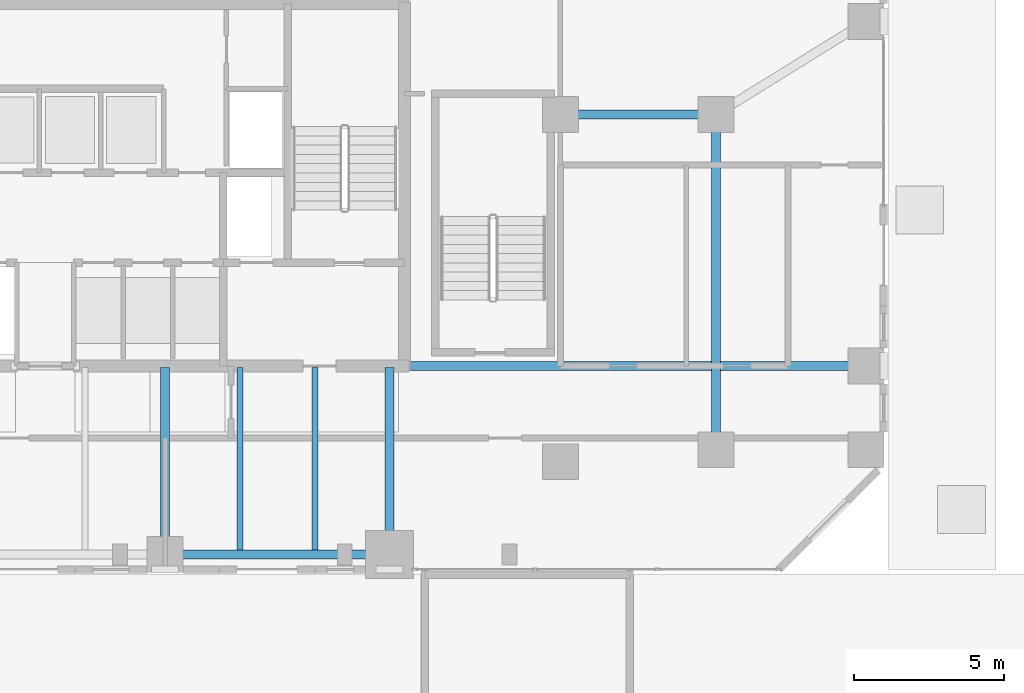
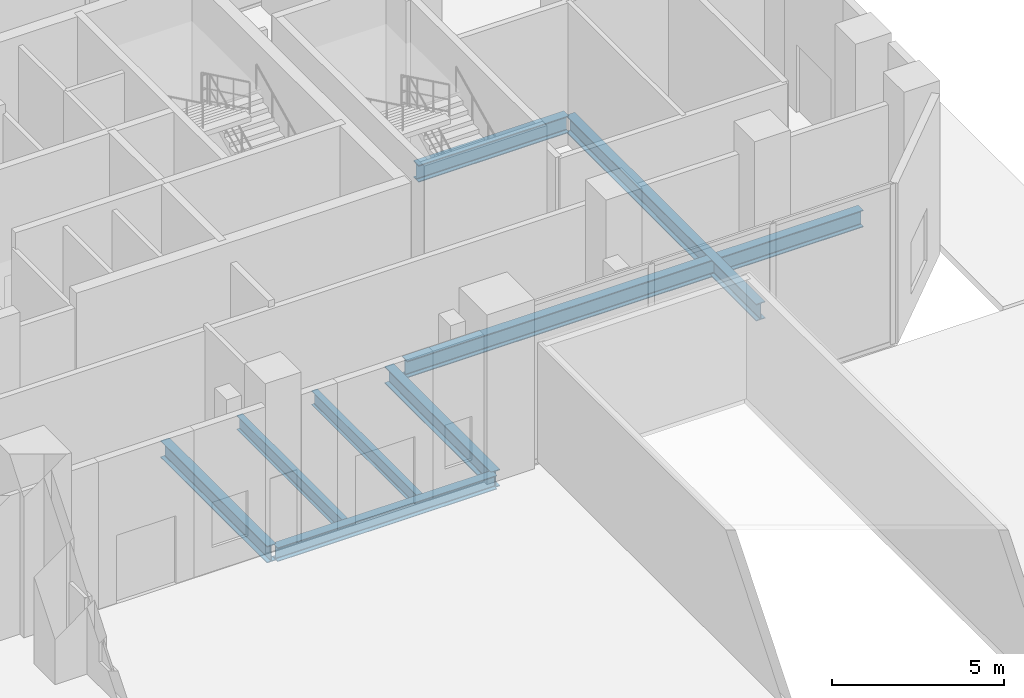
# One storey, part 11 of 26: 8 beams.
"""IFC4 building model written with IfcOpenShell, lengths in metres."""

from ifc_helpers import new_model, si_unit, direction, frame, origin, origin_2d, place, context, subcontext, project, spatial, i_section, extrude, material, material_profile, profile_set, type_object, element, save


model = new_model("IFC4")

# Units and contexts
model_context = context("Model", 3, precision=1e-05, world=origin(), true_north=direction((0.0, 1.0)))
body_context = subcontext(model_context, "Body", "Model", "MODEL_VIEW")
ifc_project = project(units=[si_unit("LENGTHUNIT", "METRE"), si_unit("AREAUNIT", "SQUARE_METRE"), si_unit("VOLUMEUNIT", "CUBIC_METRE"), si_unit("PLANEANGLEUNIT", "RADIAN"), si_unit("MASSUNIT", "GRAM", prefix="KILO")], contexts=[model_context])

# Site, building, storey
site_placement = place(None, origin())
site = spatial("IfcSite", under=ifc_project, at=site_placement, CompositionType="ELEMENT")
building_placement = place(site_placement, origin())
building = spatial("IfcBuilding", under=site, at=building_placement, Name="Catumbela Crestline Tower", CompositionType="ELEMENT")
storey_placement = place(building_placement, origin())
storey = spatial("IfcBuildingStorey", under=building, at=storey_placement, Name="L00", CompositionType="ELEMENT", Elevation=0.0)

# Beams
ifc_material = material(Name="Structural steel S355J2", Category="steel")
ifc_material_profile_1 = material_profile(ifc_material, i_section(OverallWidth=0.3, OverallDepth=0.6, WebThickness=0.0155, FlangeThickness=0.03, FilletRadius=0.027, at=origin_2d()), Name="HEB 600")
ifc_profile_set_1 = profile_set([ifc_material_profile_1], Name="Structural steel S355J2")
beam_type_1 = type_object("IfcBeamType", Name="BG-HEB600", PredefinedType="BEAM", material=ifc_profile_set_1)
beam_1_placement = place(storey_placement, frame((40.05, 30.8, -0.62), z_axis=(1.0, 0.0, 0.0), x_axis=(0.0, 1.0, 0.0)))
element("IfcBeam", 1, at=beam_1_placement, inside=storey, type_object=beam_type_1, Name="L00 Beam BM-L00-M10", PredefinedType="BEAM", context=body_context, shape_type="SweptSolid", body=[
    extrude(i_section(OverallWidth=0.3, OverallDepth=0.6, WebThickness=0.0155, FlangeThickness=0.03, FilletRadius=0.027, at=origin_2d()), origin(), (0.0, 0.0, 1.0), 15.27),
])
beam_2_placement = place(storey_placement, frame((45.28, 39.2, -0.62), z_axis=(1.0, 0.0, 0.0), x_axis=(0.0, 1.0, 0.0)))
element("IfcBeam", 2, at=beam_2_placement, inside=storey, type_object=beam_type_1, Name="L00 Beam BM-L00-N15", PredefinedType="BEAM", context=body_context, shape_type="SweptSolid", body=[
    extrude(i_section(OverallWidth=0.3, OverallDepth=0.6, WebThickness=0.0155, FlangeThickness=0.03, FilletRadius=0.027, at=origin_2d()), origin(), (0.0, 0.0, 1.0), 5.04),
])
for number, where, z_axis, x_axis, name in (
    (3, (32.0, 24.58, -0.62), (0.0, 1.0, 0.0), (-1.0, 0.0, 0.0), "L00 Beam BM-L00-SNS29"),
    (4, (39.5, 24.58, -0.62), (0.0, 1.0, 0.0), (-1.0, 0.0, 0.0), "L00 Beam BM-L00-SNS30"),
):
    element("IfcBeam", number, at=place(storey_placement, frame(where, z_axis=z_axis, x_axis=x_axis)), inside=storey, type_object=beam_type_1, Name=name, PredefinedType="BEAM", context=body_context, shape_type="SweptSolid", body=[
        extrude(i_section(OverallWidth=0.3, OverallDepth=0.6, WebThickness=0.0155, FlangeThickness=0.03, FilletRadius=0.027, at=origin_2d()), origin(), (0.0, 0.0, 1.0), 6.17),
    ])
beam_3_placement = place(storey_placement, frame((50.4, 28.08, -0.62), z_axis=(0.0, 1.0, 0.0), x_axis=(-1.0, 0.0, 0.0)))
element("IfcBeam", 5, at=beam_3_placement, inside=storey, type_object=beam_type_1, Name="L00 Beam BM-L00-SN32", PredefinedType="BEAM", context=body_context, shape_type="SweptSolid", body=[
    extrude(i_section(OverallWidth=0.3, OverallDepth=0.6, WebThickness=0.0155, FlangeThickness=0.03, FilletRadius=0.027, at=origin_2d()), origin(), (0.0, 0.0, 1.0), 11.04),
])
ifc_material_profile_2 = material_profile(ifc_material, i_section(OverallWidth=0.2, OverallDepth=0.5, WebThickness=0.0102, FlangeThickness=0.016, FilletRadius=0.021, at=origin_2d()), Name="IPE 500")
ifc_profile_set_2 = profile_set([ifc_material_profile_2], Name="Structural steel S355J2")
beam_type_2 = type_object("IfcBeamType", Name="BJ-IPE500", PredefinedType="JOIST", material=ifc_profile_set_2)
for number, where, z_axis, x_axis, name in (
    (6, (34.5, 24.647, -0.57), (0.0, 1.0, 0.0), (-1.0, 0.0, 0.0), "L00 Joist JS-L00-SP37"),
    (7, (37.0, 24.647, -0.57), (0.0, 1.0, 0.0), (-1.0, 0.0, 0.0), "L00 Joist JS-L00-SP38"),
):
    element("IfcBeam", number, at=place(storey_placement, frame(where, z_axis=z_axis, x_axis=x_axis)), inside=storey, type_object=beam_type_2, Name=name, PredefinedType="JOIST", context=body_context, shape_type="SweptSolid", body=[
        extrude(i_section(OverallWidth=0.2, OverallDepth=0.5, WebThickness=0.0102, FlangeThickness=0.016, FilletRadius=0.021, at=origin_2d()), origin(), (0.0, 0.0, 1.0), 6.103),
    ])
ifc_material_profile_3 = material_profile(ifc_material, i_section(OverallWidth=0.3, OverallDepth=0.49, WebThickness=0.012, FlangeThickness=0.023, FilletRadius=0.027, at=origin_2d()), Name="HEA 500")
ifc_profile_set_3 = profile_set([ifc_material_profile_3], Name="Structural steel S355J2")
beam_type_3 = type_object("IfcBeamType", Name="BS-HEA500", PredefinedType="SPANDREL", material=ifc_profile_set_3)
beam_4_placement = place(storey_placement, frame((32.08, 24.5, -0.565), z_axis=(1.0, 0.0, 0.0), x_axis=(0.0, 1.0, 0.0)))
element("IfcBeam", 8, at=beam_4_placement, inside=storey, type_object=beam_type_3, Name="L00 Spandrel SP-L00-S06", PredefinedType="SPANDREL", context=body_context, shape_type="SweptSolid", body=[
    extrude(i_section(OverallWidth=0.3, OverallDepth=0.49, WebThickness=0.012, FlangeThickness=0.023, FilletRadius=0.027, at=origin_2d()), origin(), (0.0, 0.0, 1.0), 7.34),
])

save(model, "model.ifc")
